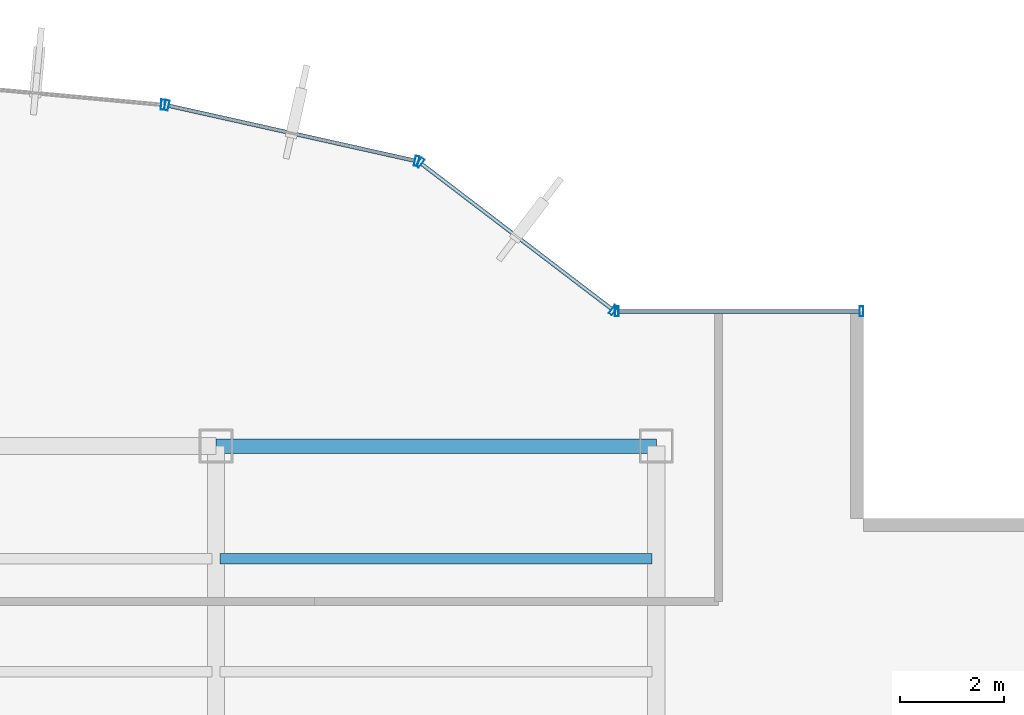
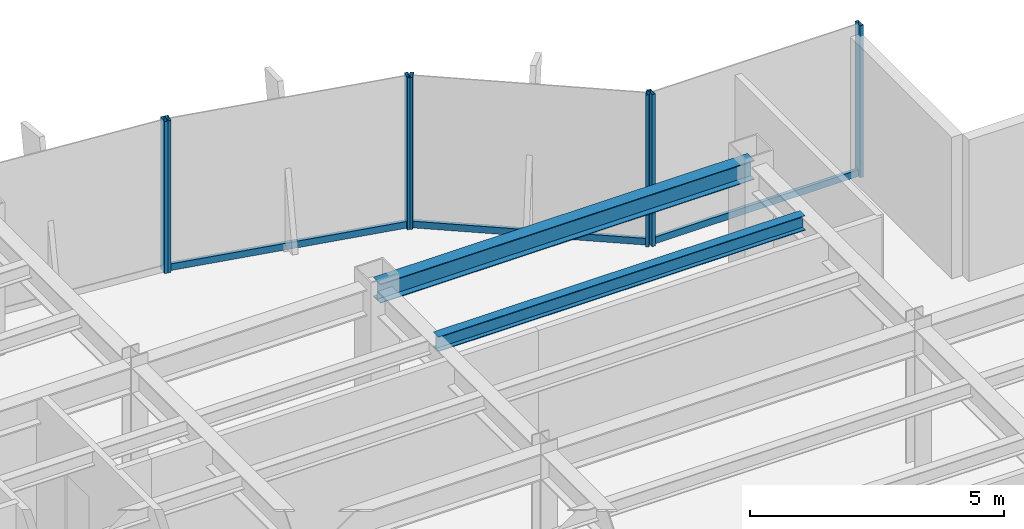
# One storey, part 17 of 25: 10 members, 2 beams, 4 elements without a shape of their own.
"""IFC4 building model written with IfcOpenShell, lengths in metres."""

from ifc_helpers import new_model, si_unit, derived_unit, direction, frame, origin, origin_2d, place, context, subcontext, project, spatial, hollow_rectangle, i_section, extrude, source, transform, mapped, material, material_profile, profile_set, type_object, element, aggregate, save


model = new_model("IFC4")

# Units and contexts
model_context = context("Model", 3, precision=1e-05, world=origin(), true_north=direction((0.0, 1.0)))
body_context = subcontext(model_context, "Body", "Model", "MODEL_VIEW")
ifc_project = project(units=[si_unit("LENGTHUNIT", "METRE"), si_unit("AREAUNIT", "SQUARE_METRE"), si_unit("VOLUMEUNIT", "CUBIC_METRE"), si_unit("PLANEANGLEUNIT", "RADIAN"), si_unit("MASSUNIT", "GRAM", prefix="KILO"), derived_unit("THERMALTRANSMITTANCEUNIT", [(si_unit("POWERUNIT", "WATT"), 1), (si_unit("LENGTHUNIT", "METRE"), -2), (si_unit("THERMODYNAMICTEMPERATUREUNIT", "KELVIN"), -1)])], contexts=[model_context])

# Site, building, storey
site_placement = place(None, origin())
site = spatial("IfcSite", under=ifc_project, at=site_placement, CompositionType="ELEMENT")
building_placement = place(site_placement, origin())
building = spatial("IfcBuilding", under=site, at=building_placement, Name="Skarnbrae Concourse Arena and Tower", CompositionType="ELEMENT")
storey_placement = place(building_placement, frame((0.0, 0.0, 177.10009765625)))
storey = spatial("IfcBuildingStorey", under=building, at=storey_placement, Name="L45", CompositionType="ELEMENT", Elevation=177.10009765625)

# Beams
ifc_material_1 = material(Name="Steel CSA G40.21 350W", Category="steel")
ifc_material_profile_1 = material_profile(ifc_material_1, i_section(OverallWidth=0.280029296875, OverallDepth=0.462890625, WebThickness=0.0107421875, FlangeThickness=0.017333984375, at=origin_2d()), Name="W460X113")
ifc_profile_set_1 = profile_set([ifc_material_profile_1], Name="Steel CSA G40.21 350W")
beam_type_1 = type_object("IfcBeamType", Name="BM-SPAN-W460X113", PredefinedType="SPANDREL", material=ifc_profile_set_1)
shared_shape_1 = source(origin(), body_context, "Body", "SweptSolid", [
    extrude(i_section(OverallWidth=0.280029296875, OverallDepth=0.462890625, WebThickness=0.0107421875, FlangeThickness=0.017333984375, at=origin_2d()), origin(), (0.0, 0.0, 1.0), 8.5),
])
beam_1_placement = place(storey_placement, frame((33.5, 34.39990234375, 3.16845703125), z_axis=(1.0, 0.0, 0.0), x_axis=(0.0, 1.0, 0.0)))
element("IfcBeam", 1, at=beam_1_placement, inside=storey, type_object=beam_type_1, Name="L45 Perimeter spandrel Y34.4-5", PredefinedType="SPANDREL", context=body_context, shape_type="MappedRepresentation", body=[
    mapped(shared_shape_1, transform((0.0, 0.0, 0.0))),
])
ifc_material_profile_2 = material_profile(ifc_material_1, i_section(OverallWidth=0.205078125, OverallDepth=0.35400390625, WebThickness=0.009521484375, FlangeThickness=0.016845703125, at=origin_2d()), Name="W360X79")
ifc_profile_set_2 = profile_set([ifc_material_profile_2], Name="Steel CSA G40.21 350W")
beam_type_2 = type_object("IfcBeamType", Name="BM-JOIST-W360X79", PredefinedType="JOIST", material=ifc_profile_set_2)
shared_shape_2 = source(origin(), body_context, "Body", "SweptSolid", [
    extrude(i_section(OverallWidth=0.205078125, OverallDepth=0.35400390625, WebThickness=0.009521484375, FlangeThickness=0.016845703125, at=origin_2d()), origin(), (0.0, 0.0, 1.0), 8.33984375),
])
beam_2_placement = place(storey_placement, frame((33.580078125, 32.221923828125, 3.222900390625), z_axis=(1.0, 0.0, 0.0), x_axis=(0.0, 1.0, 0.0)))
element("IfcBeam", 2, at=beam_2_placement, inside=storey, type_object=beam_type_2, Name="L45 Secondary floor joist 3.2.5", PredefinedType="JOIST", context=body_context, shape_type="MappedRepresentation", body=[
    mapped(shared_shape_2, transform((0.0, 0.0, 0.0))),
])

# Curtain wall, members
ifc_material_2 = material(Name="Bronze anodised aluminium 6063-T6", Category="aluminium")
curtain_wall_type = type_object("IfcCurtainWallType", Name="CW-SYS-04-MIDZONE", PredefinedType="USERDEFINED", material=ifc_material_2)
curtain_wall_1_placement = place(storey_placement, origin())
curtain_wall_1 = element("IfcCurtainWall", 3, at=curtain_wall_1_placement, inside=storey, type_object=curtain_wall_type, Name="L45 Unitised curtain wall CW-L45-E07", ObjectType="UNITISED CURTAIN WALL", PredefinedType="USERDEFINED")
ifc_material_profile_3 = material_profile(ifc_material_2, hollow_rectangle(XDim=0.074951171875, YDim=0.195068359375, WallThickness=0.00439453125, at=origin_2d()), Name="ALU-MULL-75X195")
ifc_profile_set_3 = profile_set([ifc_material_profile_3], Name="Bronze anodised aluminium 6063-T6")
member_type_1 = type_object("IfcMemberType", Name="CWM-CW-04", PredefinedType="MULLION", material=ifc_profile_set_3)
shared_shape_3 = source(origin(), body_context, "Body", "SweptSolid", [
    extrude(hollow_rectangle(XDim=0.074951171875, YDim=0.195068359375, WallThickness=0.00439453125, at=origin_2d()), origin(), (0.0, 0.0, 1.0), 3.64990234375),
])
member_1_placement = place(storey_placement, frame((45.96240234375, 37.0, 0.0), z_axis=(0.0, 0.0, 1.0), x_axis=(-1.0, 0.0, 0.0)))
member_1 = element("IfcMember", 4, at=member_1_placement, type_object=member_type_1, Name="CW-L45-E07 Mullion 1", PredefinedType="MULLION", context=body_context, shape_type="MappedRepresentation", body=[
    mapped(shared_shape_3, transform((0.0, 0.0, 0.0))),
])
member_2_placement = place(storey_placement, frame((41.237548828125, 37.0, 0.0), z_axis=(0.0, 0.0, 1.0), x_axis=(-1.0, 0.0, 0.0)))
member_2 = element("IfcMember", 5, at=member_2_placement, type_object=member_type_1, Name="CW-L45-E07 Mullion 2", PredefinedType="MULLION", context=body_context, shape_type="MappedRepresentation", body=[
    mapped(shared_shape_3, transform((0.0, 0.0, 0.0))),
])

curtain_wall_2_placement = place(storey_placement, origin())
curtain_wall_2 = element("IfcCurtainWall", 6, at=curtain_wall_2_placement, inside=storey, type_object=curtain_wall_type, Name="L45 Unitised curtain wall CW-L45-E08", ObjectType="UNITISED CURTAIN WALL", PredefinedType="USERDEFINED")
member_3_placement = place(storey_placement, frame((41.170166015625, 37.022705078125, 0.0), z_axis=(0.0, 0.0, 1.0), x_axis=(-0.794956000706, 0.606667089054, 0.0)))
member_3 = element("IfcMember", 7, at=member_3_placement, type_object=member_type_1, Name="CW-L45-E08 Mullion 1", PredefinedType="MULLION", context=body_context, shape_type="MappedRepresentation", body=[
    mapped(shared_shape_3, transform((0.0, 0.0, 0.0))),
])
member_4_placement = place(storey_placement, frame((37.439208984375, 39.869873046875, 0.0), z_axis=(0.0, 0.0, 1.0), x_axis=(-0.794956000706, 0.606667089054, 0.0)))
member_4 = element("IfcMember", 8, at=member_4_placement, type_object=member_type_1, Name="CW-L45-E08 Mullion 2", PredefinedType="MULLION", context=body_context, shape_type="MappedRepresentation", body=[
    mapped(shared_shape_3, transform((0.0, 0.0, 0.0))),
])

curtain_wall_3_placement = place(storey_placement, origin())
curtain_wall_3 = element("IfcCurtainWall", 9, at=curtain_wall_3_placement, inside=storey, type_object=curtain_wall_type, Name="L45 Unitised curtain wall CW-L45-E09", ObjectType="UNITISED CURTAIN WALL", PredefinedType="USERDEFINED")
member_5_placement = place(storey_placement, frame((37.372802734375, 39.90087890625, 0.0), z_axis=(0.0, 0.0, 1.0), x_axis=(-0.975936175393, 0.218056372433, 0.0)))
member_5 = element("IfcMember", 10, at=member_5_placement, type_object=member_type_1, Name="CW-L45-E09 Mullion 1", PredefinedType="MULLION", context=body_context, shape_type="MappedRepresentation", body=[
    mapped(shared_shape_3, transform((0.0, 0.0, 0.0))),
])
member_6_placement = place(storey_placement, frame((32.548828125, 40.978759765625, 0.0), z_axis=(0.0, 0.0, 1.0), x_axis=(-0.975936175393, 0.218056372433, 0.0)))
member_6 = element("IfcMember", 11, at=member_6_placement, type_object=member_type_1, Name="CW-L45-E09 Mullion 2", PredefinedType="MULLION", context=body_context, shape_type="MappedRepresentation", body=[
    mapped(shared_shape_3, transform((0.0, 0.0, 0.0))),
])

# Curtain wall, member
curtain_wall_4_placement = place(storey_placement, origin())
curtain_wall_4 = element("IfcCurtainWall", 12, at=curtain_wall_4_placement, inside=storey, type_object=curtain_wall_type, Name="L45 Unitised curtain wall CW-L45-E10", ObjectType="UNITISED CURTAIN WALL", PredefinedType="USERDEFINED")
member_7_placement = place(storey_placement, frame((32.47509765625, 40.990234375, 0.0), z_axis=(0.0, 0.0, 1.0), x_axis=(-0.995819926016, 0.091338244731, 0.0)))
member_7 = element("IfcMember", 13, at=member_7_placement, type_object=member_type_1, Name="CW-L45-E10 Mullion 1", PredefinedType="MULLION", context=body_context, shape_type="MappedRepresentation", body=[
    mapped(shared_shape_3, transform((0.0, 0.0, 0.0))),
])
aggregate(curtain_wall_4, [member_7])

# Member
ifc_material_profile_4 = material_profile(ifc_material_2, hollow_rectangle(XDim=0.074951171875, YDim=0.159912109375, WallThickness=0.00439453125, at=origin_2d()), Name="ALU-TRAN-75X160")
ifc_profile_set_4 = profile_set([ifc_material_profile_4], Name="Bronze anodised aluminium 6063-T6")
member_type_2 = type_object("IfcMemberType", Name="CWT-CW-04", PredefinedType="USERDEFINED", material=ifc_profile_set_4)
shared_shape_4 = source(origin(), body_context, "Body", "SweptSolid", [
    extrude(hollow_rectangle(XDim=0.074951171875, YDim=0.159912109375, WallThickness=0.00439453125, at=origin_2d()), origin(), (0.0, 0.0, 1.0), 4.650146484375),
])
member_8_placement = place(storey_placement, frame((45.925048828125, 37.0, 0.079833984375), z_axis=(-1.0, 0.0, 0.0), x_axis=(0.0, -1.0, 0.0)))
member_8 = element("IfcMember", 14, at=member_8_placement, type_object=member_type_2, Name="CW-L45-E07 Transom 1", ObjectType="TRANSOM", PredefinedType="USERDEFINED", context=body_context, shape_type="MappedRepresentation", body=[
    mapped(shared_shape_4, transform((0.0, 0.0, 0.0))),
])

aggregate(curtain_wall_1, [member_1, member_2, member_8])

shared_shape_5 = source(origin(), body_context, "Body", "SweptSolid", [
    extrude(hollow_rectangle(XDim=0.074951171875, YDim=0.159912109375, WallThickness=0.00439453125, at=origin_2d()), origin(), (0.0, 0.0, 1.0), 4.618408203125),
])
member_9_placement = place(storey_placement, frame((41.140380859375, 37.04541015625, 0.079833984375), z_axis=(-0.794960638756, 0.606661011462, 0.0), x_axis=(-0.606661011462, -0.794960638756, 0.0)))
member_9 = element("IfcMember", 15, at=member_9_placement, type_object=member_type_2, Name="CW-L45-E08 Transom 1", ObjectType="TRANSOM", PredefinedType="USERDEFINED", context=body_context, shape_type="MappedRepresentation", body=[
    mapped(shared_shape_5, transform((0.0, 0.0, 0.0))),
])

aggregate(curtain_wall_2, [member_3, member_4, member_9])

shared_shape_6 = source(origin(), body_context, "Body", "SweptSolid", [
    extrude(hollow_rectangle(XDim=0.074951171875, YDim=0.159912109375, WallThickness=0.00439453125, at=origin_2d()), origin(), (0.0, 0.0, 1.0), 4.867919921875),
])
member_10_placement = place(storey_placement, frame((37.336181640625, 39.9091796875, 0.079833984375), z_axis=(-0.975944534406, 0.218018957349, 0.0), x_axis=(-0.218018957349, -0.975944534406, 0.0)))
member_10 = element("IfcMember", 16, at=member_10_placement, type_object=member_type_2, Name="CW-L45-E09 Transom 1", ObjectType="TRANSOM", PredefinedType="USERDEFINED", context=body_context, shape_type="MappedRepresentation", body=[
    mapped(shared_shape_6, transform((0.0, 0.0, 0.0))),
])

aggregate(curtain_wall_3, [member_5, member_6, member_10])

save(model, "model.ifc")
